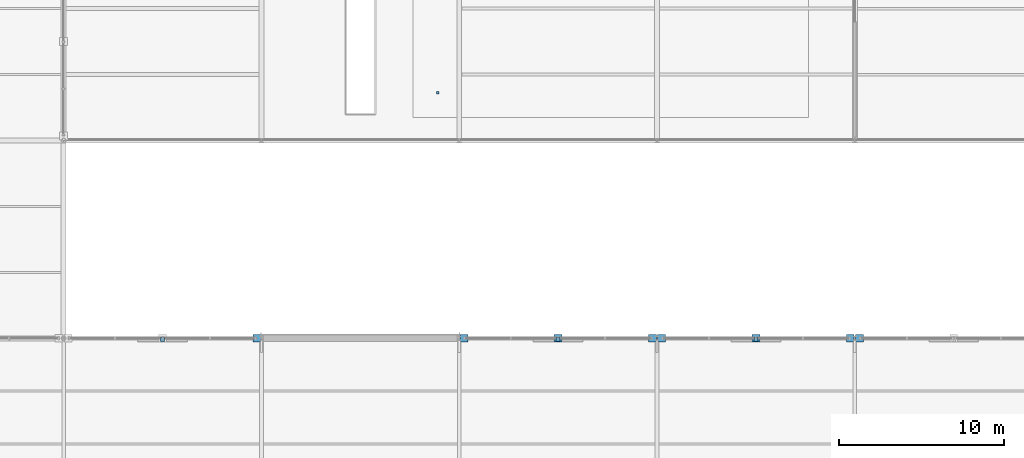
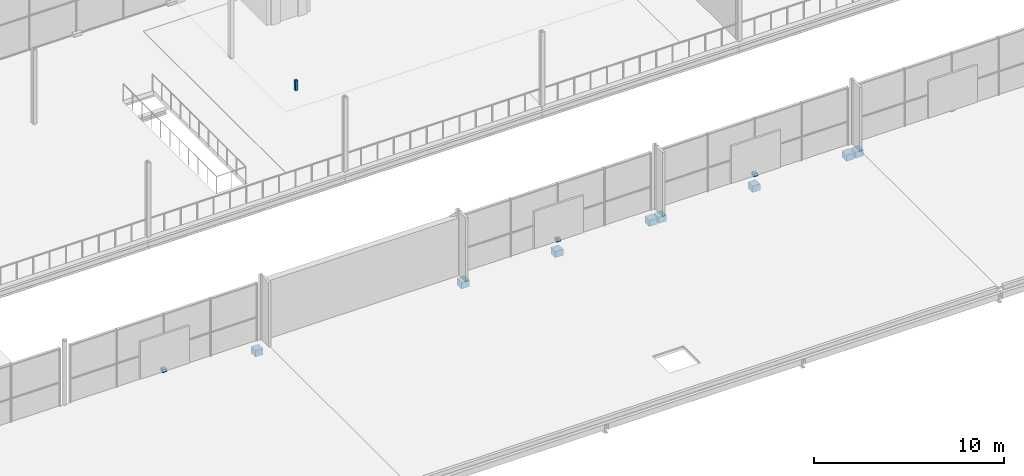
# One storey, part 145 of 159: 12 discrete accessories.
"""IFC4 building model written with IfcOpenShell, lengths in metres."""

import ifcopenshell
import ifcopenshell.guid

model = None  # the IFC model being written
_history = None  # IfcOwnerHistory: only IFC2X3 demands one
_inside = {}  # id of a spatial element -> (the spatial element, [elements in it])
_under = {}  # id of a project, library or spatial element -> (it, [spatial elements below it])
_declared = {}  # id of a project -> (the project, [libraries it declares])
_typed = {}  # id of a type object -> (the type object, [elements of that type])
_made_of = {}  # id of a material, layer set ... -> (it, [elements and type objects made of it])


def new_model(schema):
    """Start an empty IFC model of exactly this schema.

    Asked for "IFC4X3", IfcOpenShell would pick the latest addendum, in which some entities
    have other attributes; the version numbers below select the first issue.
    IFC2X3 requires an IfcOwnerHistory on every rooted entity: one is made here for all.
    """
    global model, _history
    if schema == "IFC4X3":
        model = ifcopenshell.file(schema_version=(4, 3, 0, 0))
    else:
        model = ifcopenshell.file(schema=schema)
    _inside.clear()
    _under.clear()
    _declared.clear()
    _typed.clear()
    _made_of.clear()
    _history = None
    if model.schema == "IFC2X3":
        org = make("IfcOrganization", Name="unknown")
        user = make(
            "IfcPersonAndOrganization",
            ThePerson=make("IfcPerson", FamilyName="unknown"),
            TheOrganization=org,
        )
        app = make(
            "IfcApplication",
            ApplicationDeveloper=org,
            Version="unknown",
            ApplicationFullName="unknown",
            ApplicationIdentifier="unknown",
        )
        _history = make(
            "IfcOwnerHistory",
            OwningUser=user,
            OwningApplication=app,
            ChangeAction="ADDED",
            CreationDate=0,
        )
    return model


def make(cls, **values):
    """One entity of the class cls with the attributes given. An attribute that is None is left unset."""
    return model.create_entity(
        cls, **{name: value for name, value in values.items() if value is not None}
    )


def rooted(cls, **values):
    """An entity with a GlobalId (a new one), such as an element, a storey or a relation."""
    return make(cls, GlobalId=ifcopenshell.guid.new(), OwnerHistory=_history, **values)


def si_unit(unit_type, name, prefix=None):
    """IfcSIUnit, for example si_unit("LENGTHUNIT", "METRE", prefix="MILLI")."""
    return make("IfcSIUnit", UnitType=unit_type, Prefix=prefix, Name=name)


def assignment(units):
    """IfcUnitAssignment: the units of a project."""
    return None if units is None else make("IfcUnitAssignment", Units=units)


def point(xyz):
    """IfcCartesianPoint."""
    return None if xyz is None else make("IfcCartesianPoint", Coordinates=xyz)


def direction(xyz):
    """IfcDirection."""
    return None if xyz is None else make("IfcDirection", DirectionRatios=xyz)


def frame(location, z_axis=None, x_axis=None):
    """IfcAxis2Placement3D, a coordinate frame: its origin and axes. An axis left out is left unset."""
    return make(
        "IfcAxis2Placement3D",
        Location=point(location),
        Axis=direction(z_axis),
        RefDirection=direction(x_axis),
    )


def frame_2d(location, x_axis=None):
    """IfcAxis2Placement2D, a coordinate frame in the plane: its origin and x axis."""
    return make(
        "IfcAxis2Placement2D", Location=point(location), RefDirection=direction(x_axis)
    )


def origin():
    """The frame at (0, 0, 0) with its axes left unset."""
    return frame((0.0, 0.0, 0.0))


def origin_2d():
    """The frame at (0, 0) in the plane with its x axis left unset."""
    return frame_2d((0.0, 0.0))


def place(relative_to, where):
    """IfcLocalPlacement: puts the frame where relative to a parent placement (None: the world)."""
    return make(
        "IfcLocalPlacement", PlacementRelTo=relative_to, RelativePlacement=where
    )


def context(
    kind, dimensions, precision=None, world=None, true_north=None, identifier=None
):
    """IfcGeometricRepresentationContext, for example the 3D "Model" context."""
    return make(
        "IfcGeometricRepresentationContext",
        ContextIdentifier=identifier,
        ContextType=kind,
        CoordinateSpaceDimension=dimensions,
        Precision=precision,
        WorldCoordinateSystem=world,
        TrueNorth=true_north,
    )


def subcontext(parent, identifier, kind, view, scale=None):
    """IfcGeometricRepresentationSubContext, for example "Body" below "Model"."""
    return make(
        "IfcGeometricRepresentationSubContext",
        ContextIdentifier=identifier,
        ContextType=kind,
        ParentContext=parent,
        TargetScale=scale,
        TargetView=view,
    )


def project(units=None, contexts=None):
    """IfcProject with its units and contexts."""
    return rooted(
        "IfcProject",
        Name="project",
        RepresentationContexts=contexts,
        UnitsInContext=assignment(units),
    )


def spatial(cls, under=None, at=None, **own):
    """A site, building, storey or space (cls), placed at a placement, below another one or the project."""
    s = rooted(cls, ObjectPlacement=at, **own)
    if under is not None:
        _under.setdefault(under.id(), (under, []))[1].append(s)
    return s


def profile(cls, at=None, kind="AREA", **sizes):
    """A parametric profile (cls). Its sizes go by their IFC names, for example OverallWidth=200.0."""
    return make(cls, ProfileType=kind, Position=at, **sizes)


def rectangle(**sizes):
    """IfcRectangleProfileDef."""
    return profile("IfcRectangleProfileDef", **sizes)


def extrude(swept, where, along, depth):
    """IfcExtrudedAreaSolid: the profile swept, set in the frame where, extruded along a direction by depth."""
    return make(
        "IfcExtrudedAreaSolid",
        SweptArea=swept,
        Position=where,
        ExtrudedDirection=direction(along),
        Depth=depth,
    )


def shape(context_of_items, identifier, shape_type, items):
    """IfcShapeRepresentation: the items that make up one representation, for example the "Body"."""
    return make(
        "IfcShapeRepresentation",
        ContextOfItems=context_of_items,
        RepresentationIdentifier=identifier,
        RepresentationType=shape_type,
        Items=items,
    )


def material(Name=None, Category=None):
    """IfcMaterial."""
    return make("IfcMaterial", Name=Name, Category=Category)


def layer(
    of_material, thickness, ventilated=None, Name=None, Category=None, Priority=None
):
    """IfcMaterialLayer: one layer of a wall or slab, of a material (None: an air gap)."""
    return make(
        "IfcMaterialLayer",
        Material=of_material,
        LayerThickness=thickness,
        IsVentilated=ventilated,
        Name=Name,
        Category=Category,
        Priority=Priority,
    )


def layer_set(layers, Name=None):
    """IfcMaterialLayerSet."""
    return make("IfcMaterialLayerSet", MaterialLayers=layers, LayerSetName=Name)


def made_of(thing, what):
    """Note that an element or type object is made of a material, layer set ...; save() writes the relation."""
    if what is not None:
        _made_of.setdefault(what.id(), (what, []))[1].append(thing)
    return thing


def type_object(cls, material=None, **own):
    """A type object (cls), such as IfcWallType, which elements share."""
    return made_of(rooted(cls, **own), material)


def element(
    cls,
    number,
    at=None,
    inside=None,
    cuts=None,
    type_object=None,
    material=None,
    context=None,
    identifier="Body",
    shape_type=None,
    held_by="IfcProductDefinitionShape",
    body=None,
    shapes=None,
    **own,
):
    """One element of the class cls, such as IfcWall. Its Tag is "e" and its number.

    at: its placement. inside: the storey or other place that contains it. cuts: it is an
    opening in that element (IfcRelVoidsElement). A single representation is given by context,
    identifier, shape_type and body (its items); several are given by shapes. held_by: the class
    of the entity that holds the representations. save() writes the other relations.
    """
    e = rooted(cls, Tag="e%d" % number, ObjectPlacement=at, **own)
    if body is not None:
        shapes = [shape(context, identifier, shape_type, body)]
    if shapes is not None:
        e.Representation = make(held_by, Representations=shapes)
    if inside is not None:
        _inside.setdefault(inside.id(), (inside, []))[1].append(e)
    if cuts is not None:
        rooted(
            "IfcRelVoidsElement", RelatingBuildingElement=cuts, RelatedOpeningElement=e
        )
    if type_object is not None:
        _typed.setdefault(type_object.id(), (type_object, []))[1].append(e)
    return made_of(e, material)


def aggregate(whole, parts):
    """IfcRelAggregates: a whole, such as a stair, and the parts it consists of."""
    return rooted("IfcRelAggregates", RelatingObject=whole, RelatedObjects=parts)


def save(model, path):
    """Write the relations noted so far, then the file.

    IfcRelAggregates (storeys below a building ...), IfcRelContainedInSpatialStructure (elements
    in a storey), IfcRelDefinesByType, IfcRelAssociatesMaterial and IfcRelDeclares: one each for
    every whole, place, type object, material and project.
    """
    for whole, parts in _under.values():
        aggregate(whole, parts)
    for where, things in _inside.values():
        rooted(
            "IfcRelContainedInSpatialStructure",
            RelatedElements=things,
            RelatingStructure=where,
        )
    for kind, things in _typed.values():
        rooted("IfcRelDefinesByType", RelatedObjects=things, RelatingType=kind)
    for what, things in _made_of.values():
        rooted("IfcRelAssociatesMaterial", RelatedObjects=things, RelatingMaterial=what)
    for by, libraries in _declared.values():
        rooted("IfcRelDeclares", RelatingContext=by, RelatedDefinitions=libraries)
    model.write(path)


model = new_model("IFC4")

# Units and contexts
model_context = context("Model", 3, precision=1e-05, world=origin(), true_north=direction((0.0, 1.0)))
body_context = subcontext(model_context, "Body", "Model", "MODEL_VIEW")
ifc_project = project(units=[si_unit("LENGTHUNIT", "METRE"), si_unit("AREAUNIT", "SQUARE_METRE"), si_unit("VOLUMEUNIT", "CUBIC_METRE"), si_unit("PLANEANGLEUNIT", "RADIAN"), si_unit("MASSUNIT", "GRAM", prefix="KILO")], contexts=[model_context])

# Site, building, storey
site_placement = place(None, origin())
site = spatial("IfcSite", under=ifc_project, at=site_placement, CompositionType="ELEMENT")
building_placement = place(site_placement, origin())
building = spatial("IfcBuilding", under=site, at=building_placement, Name="Merenkruunu Market Hall", CompositionType="ELEMENT")
storey_placement = place(building_placement, frame((0.0, 0.0, 5.39990234375)))
storey = spatial("IfcBuildingStorey", under=building, at=storey_placement, Name="L01", CompositionType="ELEMENT", Elevation=5.39990234375)

# Discrete accessories
ifc_material = material(Name="Brushed stainless steel", Category="steel")
ifc_layer = layer(ifc_material, 0.159912109375)
ifc_layer_set = layer_set([ifc_layer], Name="Brushed stainless steel")
discrete_accessory_type = type_object("IfcDiscreteAccessoryType", Name="Stainless Facade Support Bracket BRK01", PredefinedType="BRACKET", material=ifc_layer_set)
for number, where, z_axis, x_axis, name in (
    (1, (88.52001953125, 15.60009765625, -0.199951171875), (0.0, 0.0, 1.0), (1.0, 0.0, 0.0), "ACC-CWBRK-181-1"),
    (2, (112.52001953125, 15.60009765625, -0.199951171875), (0.0, 0.0, 1.0), (1.0, 0.0, 0.0), "ACC-CWBRK-187-1"),
    (3, (106.800048828125, 15.60009765625, -0.199951171875), (0.0, 0.0, 1.0), (1.0, 0.0, 0.0), "ACC-CWBRK-187-2"),
    (4, (101.080078125, 15.60009765625, -0.199951171875), (0.0, 0.0, 1.0), (1.0, 0.0, 0.0), "ACC-CWBRK-187-3"),
    (5, (124.52001953125, 15.60009765625, -0.199951171875), (0.0, 0.0, 1.0), (1.0, 0.0, 0.0), "ACC-CWBRK-191-1"),
    (6, (118.800048828125, 15.60009765625, -0.199951171875), (0.0, 0.0, 1.0), (1.0, 0.0, 0.0), "ACC-CWBRK-191-2"),
    (7, (113.080078125, 15.60009765625, -0.199951171875), (0.0, 0.0, 1.0), (1.0, 0.0, 0.0), "ACC-CWBRK-191-3"),
    (8, (125.080078125, 15.60009765625, -0.199951171875), (0.0, 0.0, 1.0), (1.0, 0.0, 0.0), "ACC-CWBRK-195-3"),
):
    element("IfcDiscreteAccessory", number, at=place(storey_placement, frame(where, z_axis=z_axis, x_axis=x_axis)), inside=storey, type_object=discrete_accessory_type, Name=name, PredefinedType="BRACKET", context=body_context, shape_type="SweptSolid", body=[
        extrude(rectangle(XDim=0.47998046875, YDim=0.47998046875, at=origin_2d()), origin(), (0.0, 0.0, 1.0), 0.39990234375),
    ])
for number, where, z_axis, x_axis, name in (
    (9, (82.800048828125, 15.5400390625, 0.72021484375), (0.0, 0.0, 1.0), (1.0, 0.0, 0.0), "ACC-BRK-01"),
    (10, (106.800048828125, 15.5400390625, 0.72021484375), (0.0, 0.0, 1.0), (1.0, 0.0, 0.0), "ACC-BRK-02"),
    (11, (118.800048828125, 15.5400390625, 0.72021484375), (0.0, 0.0, 1.0), (1.0, 0.0, 0.0), "ACC-BRK-03"),
):
    element("IfcDiscreteAccessory", number, at=place(storey_placement, frame(where, z_axis=z_axis, x_axis=x_axis)), inside=storey, type_object=discrete_accessory_type, Name=name, PredefinedType="BRACKET", context=body_context, shape_type="SweptSolid", body=[
        extrude(rectangle(XDim=0.239990234375, YDim=0.239990234375, at=origin_2d()), origin(), (0.0, 0.0, 1.0), 0.199951171875),
    ])
discrete_accessory_placement = place(storey_placement, frame((99.5, 30.5, 3.900146484375), z_axis=(0.0, 0.0, 1.0), x_axis=(1.0, 0.0, 0.0)))
element("IfcDiscreteAccessory", 12, at=discrete_accessory_placement, inside=storey, type_object=discrete_accessory_type, Name="ACC-CLGHNG-4-1", PredefinedType="BRACKET", context=body_context, shape_type="SweptSolid", body=[
    extrude(rectangle(XDim=0.159912109375, YDim=0.159912109375, at=origin_2d()), origin(), (0.0, 0.0, 1.0), 0.64990234375),
])

save(model, "model.ifc")
